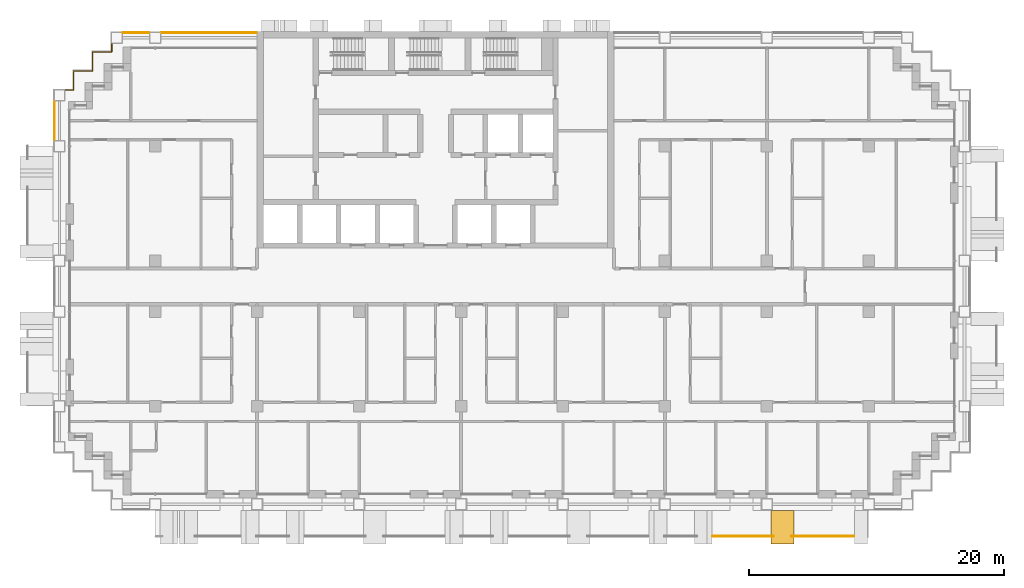
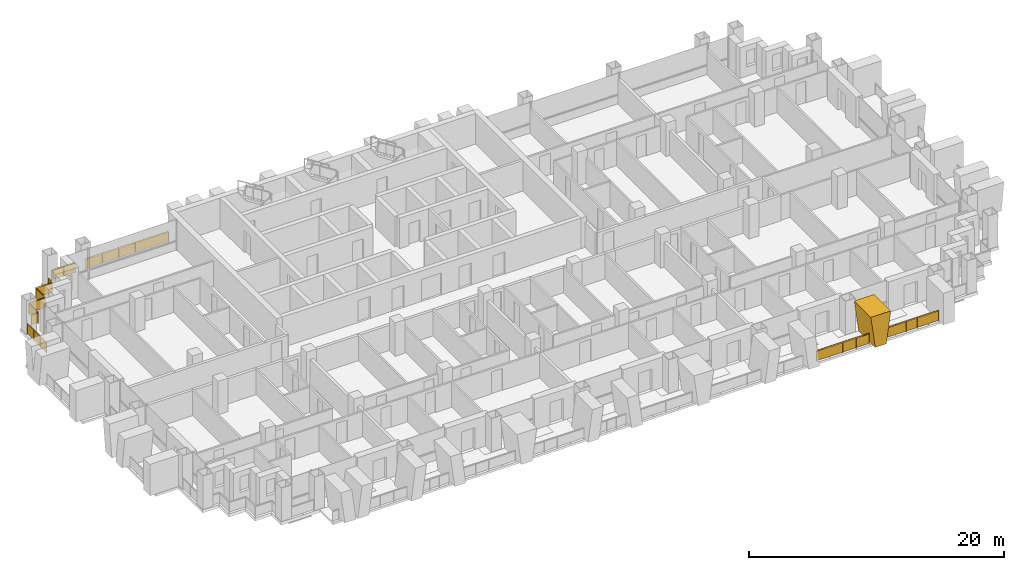
# One storey, part 16 of 18: 6 railings, 1 shading device.
"""IFC4 building model written with IfcOpenShell, lengths in metres."""

from ifc_helpers import new_model, si_unit, direction, frame, origin, origin_2d, place, context, subcontext, project, spatial, polyline, rectangle, circle, outline, extrude, material, layer, layer_set, type_object, element, save


model = new_model("IFC4")

# Units and contexts
model_context = context("Model", 3, precision=1e-05, world=origin(), true_north=direction((0.0, 1.0)))
body_context = subcontext(model_context, "Body", "Model", "MODEL_VIEW")
ifc_project = project(units=[si_unit("LENGTHUNIT", "METRE"), si_unit("AREAUNIT", "SQUARE_METRE"), si_unit("VOLUMEUNIT", "CUBIC_METRE"), si_unit("PLANEANGLEUNIT", "RADIAN"), si_unit("MASSUNIT", "GRAM", prefix="KILO")], contexts=[model_context])

# Site, building, storey
site_placement = place(None, origin())
site = spatial("IfcSite", under=ifc_project, at=site_placement, CompositionType="ELEMENT")
building_placement = place(site_placement, origin())
building = spatial("IfcBuilding", under=site, at=building_placement, Name="Vidyagriha Tower", CompositionType="ELEMENT")
storey_placement = place(building_placement, frame((0.0, 0.0, 93.5)))
storey = spatial("IfcBuildingStorey", under=building, at=storey_placement, Name="L24", CompositionType="ELEMENT", Elevation=93.5)

# Railings
ifc_material_1 = material(Name="Steel ASTM A500 Grade C black painted", Category="steel")
railing_type_1 = type_object("IfcRailingType", Name="Balcony guard 1100", PredefinedType="BALUSTRADE", material=ifc_material_1)
railing_1_placement = place(storey_placement, frame((21.75, -19.60009765625, 0.0)))
element("IfcRailing", 1, at=railing_1_placement, inside=storey, type_object=railing_type_1, Name="Balcony guard L24 R23.1-10", PredefinedType="BALUSTRADE", context=body_context, shape_type="SweptSolid", body=[
    extrude(circle(Radius=0.02490234375, at=origin_2d()), frame((0.0, 0.0, 1.0751953125), z_axis=(1.0, 0.0, 0.0), x_axis=(0.0, 1.0, 0.0)), (0.0, 0.0, 1.0), 4.773681640625),
    extrude(circle(Radius=0.02001953125, at=origin_2d()), origin(), (0.0, 0.0, 1.0), 1.050048828125),
    extrude(circle(Radius=0.02001953125, at=origin_2d()), frame((1.193359375, 0.0, 0.0)), (0.0, 0.0, 1.0), 1.050048828125),
    extrude(circle(Radius=0.02001953125, at=origin_2d()), frame((2.38671875, 0.0, 0.0)), (0.0, 0.0, 1.0), 1.050048828125),
    extrude(circle(Radius=0.02001953125, at=origin_2d()), frame((3.580322265625, 0.0, 0.0)), (0.0, 0.0, 1.0), 1.050048828125),
    extrude(circle(Radius=0.02001953125, at=origin_2d()), frame((4.773681640625, 0.0, 0.0)), (0.0, 0.0, 1.0), 1.050048828125),
    extrude(rectangle(XDim=0.010009765625, YDim=0.900146484375, at=origin_2d()), frame((0.0, 0.0, 0.550048828125), z_axis=(1.0, 0.0, 0.0), x_axis=(0.0, 1.0, 0.0)), (0.0, 0.0, 1.0), 4.773681640625),
])
railing_2_placement = place(storey_placement, frame((27.926513671875, -19.60009765625, 0.0)))
element("IfcRailing", 2, at=railing_2_placement, inside=storey, type_object=railing_type_1, Name="Balcony guard L24 R23.1-11", PredefinedType="BALUSTRADE", context=body_context, shape_type="SweptSolid", body=[
    extrude(circle(Radius=0.02490234375, at=origin_2d()), frame((0.0, 0.0, 1.0751953125), z_axis=(1.0, 0.0, 0.0), x_axis=(0.0, 1.0, 0.0)), (0.0, 0.0, 1.0), 4.8984375),
    extrude(circle(Radius=0.02001953125, at=origin_2d()), origin(), (0.0, 0.0, 1.0), 1.050048828125),
    extrude(circle(Radius=0.02001953125, at=origin_2d()), frame((0.979736328125, 0.0, 0.0)), (0.0, 0.0, 1.0), 1.050048828125),
    extrude(circle(Radius=0.02001953125, at=origin_2d()), frame((1.95947265625, 0.0, 0.0)), (0.0, 0.0, 1.0), 1.050048828125),
    extrude(circle(Radius=0.02001953125, at=origin_2d()), frame((2.93896484375, 0.0, 0.0)), (0.0, 0.0, 1.0), 1.050048828125),
    extrude(circle(Radius=0.02001953125, at=origin_2d()), frame((3.918701171875, 0.0, 0.0)), (0.0, 0.0, 1.0), 1.050048828125),
    extrude(circle(Radius=0.02001953125, at=origin_2d()), frame((4.8984375, 0.0, 0.0)), (0.0, 0.0, 1.0), 1.050048828125),
    extrude(rectangle(XDim=0.010009765625, YDim=0.900146484375, at=origin_2d()), frame((0.0, 0.0, 0.550048828125), z_axis=(1.0, 0.0, 0.0), x_axis=(0.0, 1.0, 0.0)), (0.0, 0.0, 1.0), 4.8984375),
])

# Shading device
ifc_material_2 = material(Name="Precast concrete C40/50 with buff brick facing", Category="concrete")
ifc_layer = layer(ifc_material_2, 1.0)
ifc_layer_set = layer_set([ifc_layer], Name="Precast concrete C40/50 with buff brick facing")
shading_device_type = type_object("IfcShadingDeviceType", Name="Brick-faced blade fin forking 8 degrees", PredefinedType="USERDEFINED", material=ifc_layer_set)
shading_device_placement = place(storey_placement, frame((26.330078125, -18.89990234375, 0.0)))
element("IfcShadingDevice", 3, at=shading_device_placement, inside=storey, type_object=shading_device_type, Name="Forked blade fin L24 R23.4990a", ObjectType="BLADE FIN", PredefinedType="USERDEFINED", context=body_context, shape_type="SweptSolid", body=[
    extrude(outline(polyline([(0.39501953125, 0.0), (1.39501953125, 0.0), (1.7900390625, 3.0), (0.0, 3.0), (0.39501953125, 0.0)])), frame((0.0, 1.300048828125, 0.0), z_axis=(0.0, -1.0, 0.0), x_axis=(1.0, 0.0, 0.0)), (0.0, 0.0, 1.0), 2.60009765625),
])

# Railings
ifc_material_3 = material(Name="Steel ASTM A500 Grade C black painted", Category="steel")
railing_type_2 = type_object("IfcRailingType", Name="Gallery guard 1100", PredefinedType="GUARDRAIL", material=ifc_material_3)
railing_3_placement = place(storey_placement, frame((-29.89990234375, 11.47998046875, 0.0)))
element("IfcRailing", 4, at=railing_3_placement, inside=storey, type_object=railing_type_2, Name="Gallery guard L24 3", PredefinedType="GUARDRAIL", context=body_context, shape_type="SweptSolid", body=[
    extrude(circle(Radius=0.02490234375, at=origin_2d()), frame((0.0, 0.0, 1.0751953125), z_axis=(0.0, 1.0, 0.0), x_axis=(-1.0, 0.0, 0.0)), (0.0, 0.0, 1.0), 3.0400390625),
    extrude(circle(Radius=0.02001953125, at=origin_2d()), origin(), (0.0, 0.0, 1.0), 1.050048828125),
    extrude(circle(Radius=0.02001953125, at=origin_2d()), frame((0.0, 1.013427734375, 0.0)), (0.0, 0.0, 1.0), 1.050048828125),
    extrude(circle(Radius=0.02001953125, at=origin_2d()), frame((0.0, 2.026611328125, 0.0)), (0.0, 0.0, 1.0), 1.050048828125),
    extrude(circle(Radius=0.02001953125, at=origin_2d()), frame((0.0, 3.0400390625, 0.0)), (0.0, 0.0, 1.0), 1.050048828125),
    extrude(rectangle(XDim=0.010009765625, YDim=0.900146484375, at=origin_2d()), frame((0.0, 0.0, 0.550048828125), z_axis=(0.0, 1.0, 0.0), x_axis=(-1.0, 0.0, 0.0)), (0.0, 0.0, 1.0), 3.0400390625),
])
railing_4_placement = place(storey_placement, frame((-29.02001953125, 15.39990234375, 0.0)))
element("IfcRailing", 5, at=railing_4_placement, inside=storey, type_object=railing_type_2, Name="Gallery guard L24 5", PredefinedType="GUARDRAIL", context=body_context, shape_type="SweptSolid", body=[
    extrude(circle(Radius=0.02490234375, at=origin_2d()), frame((0.0, 0.0, 1.0751953125), z_axis=(1.0, 0.0, 0.0), x_axis=(0.0, 1.0, 0.0)), (0.0, 0.0, 1.0), 0.6201171875),
    extrude(circle(Radius=0.02490234375, at=origin_2d()), frame((0.6201171875, 0.0, 1.0751953125), z_axis=(0.0, 1.0, 0.0), x_axis=(-1.0, 0.0, 0.0)), (0.0, 0.0, 1.0), 1.5),
    extrude(circle(Radius=0.02490234375, at=origin_2d()), frame((0.6201171875, 1.5, 1.0751953125), z_axis=(1.0, 0.0, 0.0), x_axis=(0.0, 1.0, 0.0)), (0.0, 0.0, 1.0), 1.5),
    extrude(circle(Radius=0.02490234375, at=origin_2d()), frame((2.1201171875, 1.5, 1.0751953125), z_axis=(0.0, 1.0, 0.0), x_axis=(-1.0, 0.0, 0.0)), (0.0, 0.0, 1.0), 1.5),
    extrude(circle(Radius=0.02490234375, at=origin_2d()), frame((2.1201171875, 3.0, 1.0751953125), z_axis=(1.0, 0.0, 0.0), x_axis=(0.0, 1.0, 0.0)), (0.0, 0.0, 1.0), 1.5),
    extrude(circle(Radius=0.02490234375, at=origin_2d()), frame((3.6201171875, 3.0, 1.0751953125), z_axis=(0.0, 1.0, 0.0), x_axis=(-1.0, 0.0, 0.0)), (0.0, 0.0, 1.0), 0.6201171875),
    extrude(circle(Radius=0.02001953125, at=origin_2d()), origin(), (0.0, 0.0, 1.0), 1.050048828125),
    extrude(circle(Radius=0.02001953125, at=origin_2d()), frame((0.6201171875, 0.0, 0.0)), (0.0, 0.0, 1.0), 1.050048828125),
    extrude(circle(Radius=0.02001953125, at=origin_2d()), frame((0.6201171875, 1.5, 0.0)), (0.0, 0.0, 1.0), 1.050048828125),
    extrude(circle(Radius=0.02001953125, at=origin_2d()), frame((2.1201171875, 1.5, 0.0)), (0.0, 0.0, 1.0), 1.050048828125),
    extrude(circle(Radius=0.02001953125, at=origin_2d()), frame((2.1201171875, 3.0, 0.0)), (0.0, 0.0, 1.0), 1.050048828125),
    extrude(circle(Radius=0.02001953125, at=origin_2d()), frame((3.6201171875, 3.0, 0.0)), (0.0, 0.0, 1.0), 1.050048828125),
    extrude(circle(Radius=0.02001953125, at=origin_2d()), frame((3.6201171875, 3.6201171875, 0.0)), (0.0, 0.0, 1.0), 1.050048828125),
    extrude(rectangle(XDim=0.010009765625, YDim=0.900146484375, at=origin_2d()), frame((0.0, 0.0, 0.550048828125), z_axis=(1.0, 0.0, 0.0), x_axis=(0.0, 1.0, 0.0)), (0.0, 0.0, 1.0), 0.6201171875),
    extrude(rectangle(XDim=0.010009765625, YDim=0.900146484375, at=origin_2d()), frame((0.6201171875, 0.0, 0.550048828125), z_axis=(0.0, 1.0, 0.0), x_axis=(-1.0, 0.0, 0.0)), (0.0, 0.0, 1.0), 1.5),
    extrude(rectangle(XDim=0.010009765625, YDim=0.900146484375, at=origin_2d()), frame((0.6201171875, 1.5, 0.550048828125), z_axis=(1.0, 0.0, 0.0), x_axis=(0.0, 1.0, 0.0)), (0.0, 0.0, 1.0), 1.5),
    extrude(rectangle(XDim=0.010009765625, YDim=0.900146484375, at=origin_2d()), frame((2.1201171875, 1.5, 0.550048828125), z_axis=(0.0, 1.0, 0.0), x_axis=(-1.0, 0.0, 0.0)), (0.0, 0.0, 1.0), 1.5),
    extrude(rectangle(XDim=0.010009765625, YDim=0.900146484375, at=origin_2d()), frame((2.1201171875, 3.0, 0.550048828125), z_axis=(1.0, 0.0, 0.0), x_axis=(0.0, 1.0, 0.0)), (0.0, 0.0, 1.0), 1.5),
    extrude(rectangle(XDim=0.010009765625, YDim=0.900146484375, at=origin_2d()), frame((3.6201171875, 3.0, 0.550048828125), z_axis=(0.0, 1.0, 0.0), x_axis=(-1.0, 0.0, 0.0)), (0.0, 0.0, 1.0), 0.6201171875),
])
railing_5_placement = place(storey_placement, frame((-24.52001953125, 19.89990234375, 0.0)))
element("IfcRailing", 6, at=railing_5_placement, inside=storey, type_object=railing_type_2, Name="Gallery guard L24 7", PredefinedType="GUARDRAIL", context=body_context, shape_type="SweptSolid", body=[
    extrude(circle(Radius=0.02490234375, at=origin_2d()), frame((0.0, 0.0, 1.0751953125), z_axis=(1.0, 0.0, 0.0), x_axis=(0.0, 1.0, 0.0)), (0.0, 0.0, 1.0), 2.0400390625),
    extrude(circle(Radius=0.02001953125, at=origin_2d()), origin(), (0.0, 0.0, 1.0), 1.050048828125),
    extrude(circle(Radius=0.02001953125, at=origin_2d()), frame((1.02001953125, 0.0, 0.0)), (0.0, 0.0, 1.0), 1.050048828125),
    extrude(circle(Radius=0.02001953125, at=origin_2d()), frame((2.0400390625, 0.0, 0.0)), (0.0, 0.0, 1.0), 1.050048828125),
    extrude(rectangle(XDim=0.010009765625, YDim=0.900146484375, at=origin_2d()), frame((0.0, 0.0, 0.550048828125), z_axis=(1.0, 0.0, 0.0), x_axis=(0.0, 1.0, 0.0)), (0.0, 0.0, 1.0), 2.0400390625),
])
railing_6_placement = place(storey_placement, frame((-21.52001953125, 19.89990234375, 0.0)))
element("IfcRailing", 7, at=railing_6_placement, inside=storey, type_object=railing_type_2, Name="Gallery guard L24 8", PredefinedType="GUARDRAIL", context=body_context, shape_type="SweptSolid", body=[
    extrude(circle(Radius=0.02490234375, at=origin_2d()), frame((0.0, 0.0, 1.0751953125), z_axis=(1.0, 0.0, 0.0), x_axis=(0.0, 1.0, 0.0)), (0.0, 0.0, 1.0), 7.489990234375),
    extrude(circle(Radius=0.02001953125, at=origin_2d()), origin(), (0.0, 0.0, 1.0), 1.050048828125),
    extrude(circle(Radius=0.02001953125, at=origin_2d()), frame((1.498046875, 0.0, 0.0)), (0.0, 0.0, 1.0), 1.050048828125),
    extrude(circle(Radius=0.02001953125, at=origin_2d()), frame((2.99609375, 0.0, 0.0)), (0.0, 0.0, 1.0), 1.050048828125),
    extrude(circle(Radius=0.02001953125, at=origin_2d()), frame((4.493896484375, 0.0, 0.0)), (0.0, 0.0, 1.0), 1.050048828125),
    extrude(circle(Radius=0.02001953125, at=origin_2d()), frame((5.991943359375, 0.0, 0.0)), (0.0, 0.0, 1.0), 1.050048828125),
    extrude(circle(Radius=0.02001953125, at=origin_2d()), frame((7.489990234375, 0.0, 0.0)), (0.0, 0.0, 1.0), 1.050048828125),
    extrude(rectangle(XDim=0.010009765625, YDim=0.900146484375, at=origin_2d()), frame((0.0, 0.0, 0.550048828125), z_axis=(1.0, 0.0, 0.0), x_axis=(0.0, 1.0, 0.0)), (0.0, 0.0, 1.0), 7.489990234375),
])

save(model, "model.ifc")
